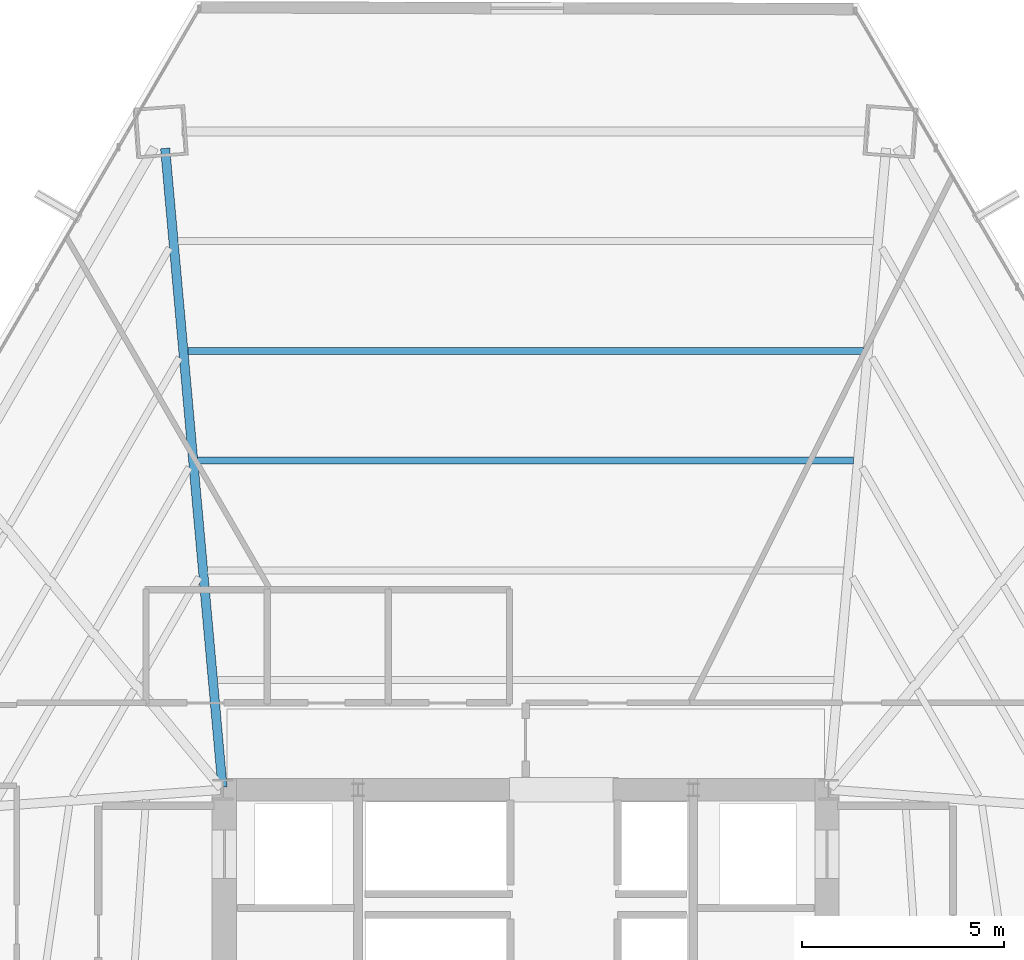
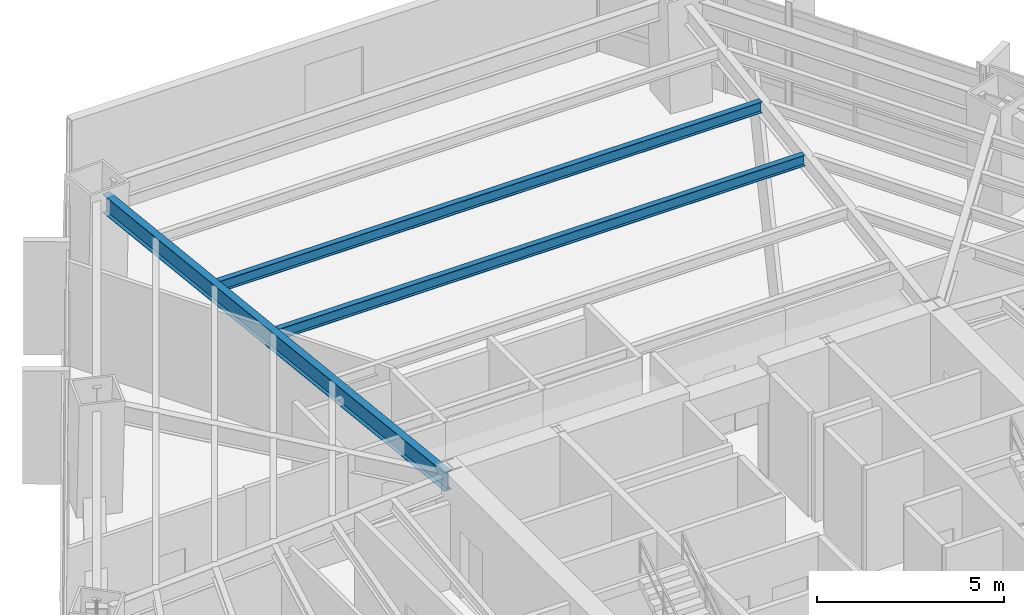
# One storey, part 23 of 33: 3 beams.
"""IFC4 building model written with IfcOpenShell, lengths in metres."""

from ifc_helpers import new_model, si_unit, direction, frame, origin, origin_2d, place, context, subcontext, project, spatial, i_section, extrude, source, transform, mapped, material, material_profile, profile_set, type_object, type_shapes, element, save


model = new_model("IFC4")

# Units and contexts
model_context = context("Model", 3, precision=1e-05, world=origin(), true_north=direction((0.0, 1.0)))
body_context = subcontext(model_context, "Body", "Model", "MODEL_VIEW")
ifc_project = project(units=[si_unit("LENGTHUNIT", "METRE"), si_unit("AREAUNIT", "SQUARE_METRE"), si_unit("VOLUMEUNIT", "CUBIC_METRE"), si_unit("PLANEANGLEUNIT", "RADIAN"), si_unit("MASSUNIT", "GRAM", prefix="KILO")], contexts=[model_context])

# Site, building, storey
site_placement = place(None, origin())
site = spatial("IfcSite", under=ifc_project, at=site_placement, CompositionType="ELEMENT")
building_placement = place(site_placement, origin())
building = spatial("IfcBuilding", under=site, at=building_placement, Name="Caelisora Broadcast Tower", CompositionType="ELEMENT")
storey_placement = place(building_placement, frame((0.0, 0.0, 38.550048828125)))
storey = spatial("IfcBuildingStorey", under=building, at=storey_placement, Name="L09", CompositionType="ELEMENT", Elevation=38.550048828125)

# Beams
ifc_material = material(Name="Steel Grade 350 (AS/NZS 3679.1)", Category="steel")
ifc_material_profile_1 = material_profile(ifc_material, i_section(OverallWidth=0.22802734375, OverallDepth=0.602294921875, WebThickness=0.010498046875, FlangeThickness=0.014892578125, at=origin_2d()), Name="Steel Grade 350 (AS/NZS 3679.1)")
ifc_profile_set_1 = profile_set([ifc_material_profile_1], Name="Steel Grade 350 (AS/NZS 3679.1)")
beam_type_1 = type_object("IfcBeamType", Name="PG04", PredefinedType="BEAM", material=ifc_profile_set_1)
shared_shape_1 = source(origin(), body_context, "Body", "SweptSolid", [
    extrude(i_section(OverallWidth=0.22802734375, OverallDepth=0.602294921875, WebThickness=0.010498046875, FlangeThickness=0.014892578125, at=origin_2d()), origin(), (0.0, 0.0, 1.0), 15.883056640625),
])
type_shapes(beam_type_1, [shared_shape_1])
beam_1_placement = place(storey_placement, frame((30.49462890625, 30.059814453125, 3.098876953125), z_axis=(-0.089397853481, 0.995995995872, 0.0), x_axis=(-0.995995995872, -0.089397853481, 0.0)))
element("IfcBeam", 1, at=beam_1_placement, inside=storey, type_object=beam_type_1, Name="L09 beam PG04", PredefinedType="BEAM", context=body_context, shape_type="MappedRepresentation", body=[
    mapped(shared_shape_1, transform((0.0, 0.0, 0.0), scale=1.0)),
])
ifc_material_profile_2 = material_profile(ifc_material, i_section(OverallWidth=0.172119140625, OverallDepth=0.358642578125, WebThickness=0.008056640625, FlangeThickness=0.012939453125, at=origin_2d()), Name="Steel Grade 350 (AS/NZS 3679.1)")
ifc_profile_set_2 = profile_set([ifc_material_profile_2], Name="Steel Grade 350 (AS/NZS 3679.1)")
beam_type_2 = type_object("IfcBeamType", Name="SB02", PredefinedType="JOIST", material=ifc_profile_set_2)
shared_shape_2 = source(origin(), body_context, "Body", "SweptSolid", [
    extrude(i_section(OverallWidth=0.172119140625, OverallDepth=0.358642578125, WebThickness=0.008056640625, FlangeThickness=0.012939453125, at=origin_2d()), origin(), (0.0, 0.0, 1.0), 16.23974609375),
])
beam_2_placement = place(storey_placement, frame((46.119873046875, 38.148681640625, 3.220703125), z_axis=(-1.0, 0.0, 0.0), x_axis=(0.0, -1.0, 0.0)))
element("IfcBeam", 2, at=beam_2_placement, inside=storey, type_object=beam_type_2, Name="L09 beam SB02", PredefinedType="JOIST", context=body_context, shape_type="MappedRepresentation", body=[
    mapped(shared_shape_2, transform((0.0, 0.0, 0.0), scale=1.0)),
])
shared_shape_3 = source(origin(), body_context, "Body", "SweptSolid", [
    extrude(i_section(OverallWidth=0.172119140625, OverallDepth=0.358642578125, WebThickness=0.008056640625, FlangeThickness=0.012939453125, at=origin_2d()), origin(), (0.0, 0.0, 1.0), 16.72705078125),
])
type_shapes(beam_type_2, [shared_shape_2, shared_shape_3])
beam_3_placement = place(storey_placement, frame((46.363525390625, 40.864990234375, 3.220703125), z_axis=(-1.0, 0.0, 0.0), x_axis=(0.0, -1.0, 0.0)))
element("IfcBeam", 3, at=beam_3_placement, inside=storey, type_object=beam_type_2, Name="L09 beam SB02", PredefinedType="JOIST", context=body_context, shape_type="MappedRepresentation", body=[
    mapped(shared_shape_3, transform((0.0, 0.0, 0.0), scale=1.0)),
])

save(model, "model.ifc")
